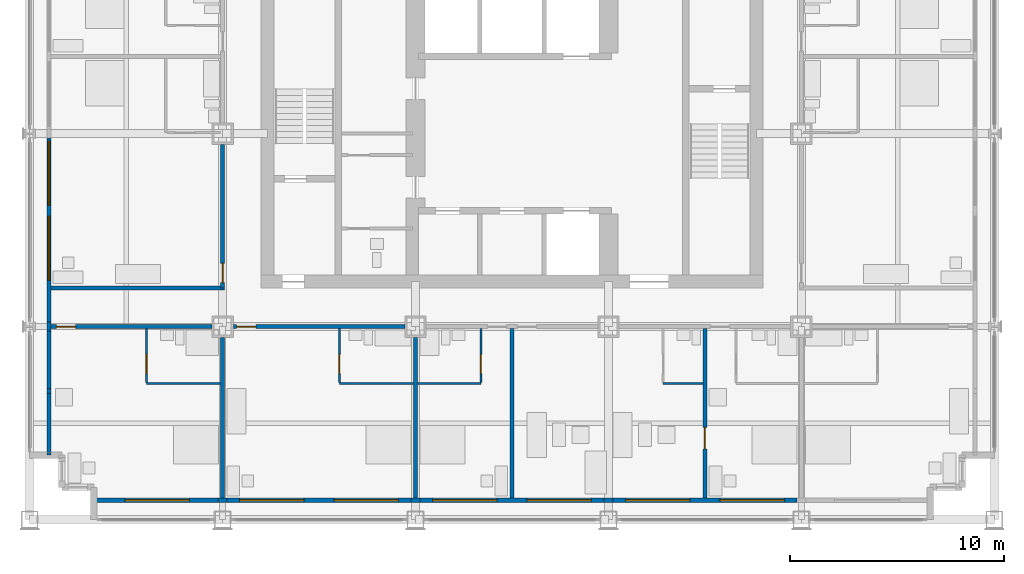
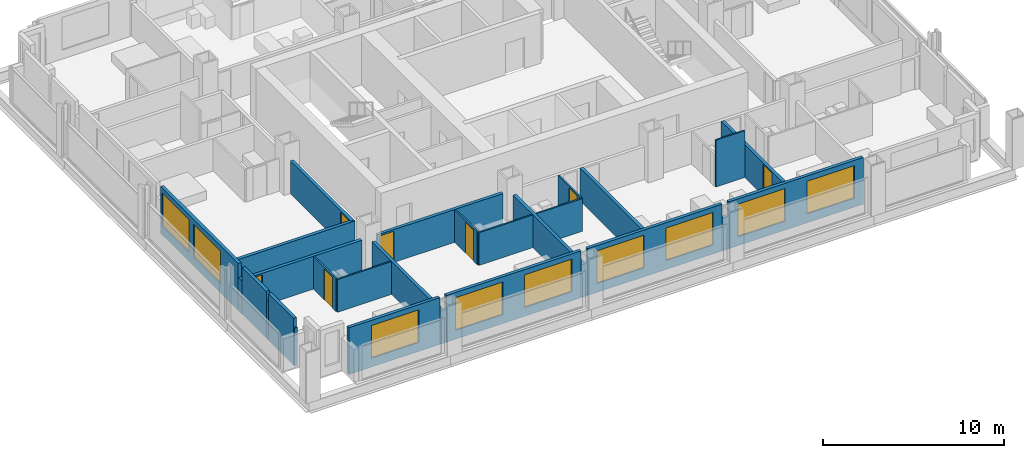
# One storey, part 9 of 17: 28 walls, 9 windows, 7 doors, 16 openings.
"""IFC4 building model written with IfcOpenShell, lengths in metres."""

from ifc_helpers import new_model, si_unit, direction, frame, frame_2d, origin, place, context, subcontext, project, spatial, rectangle, extrude, material, layer, layer_set, type_object, element, fill, save


model = new_model("IFC4")

# Units and contexts
model_context = context("Model", 3, precision=1e-05, world=origin(), true_north=direction((0.0, 1.0)))
body_context = subcontext(model_context, "Body", "Model", "MODEL_VIEW")
ifc_project = project(units=[si_unit("LENGTHUNIT", "METRE"), si_unit("AREAUNIT", "SQUARE_METRE"), si_unit("VOLUMEUNIT", "CUBIC_METRE"), si_unit("PLANEANGLEUNIT", "RADIAN"), si_unit("MASSUNIT", "GRAM", prefix="KILO")], contexts=[model_context])

# Site, building, storey
site_placement = place(None, origin())
site = spatial("IfcSite", under=ifc_project, at=site_placement, CompositionType="ELEMENT")
building_placement = place(site_placement, origin())
building = spatial("IfcBuilding", under=site, at=building_placement, Name="Loomwork Tower", CompositionType="ELEMENT")
storey_placement = place(building_placement, frame((0.0, 0.0, 152.0)))
storey = spatial("IfcBuildingStorey", under=building, at=storey_placement, Name="L41", CompositionType="ELEMENT", Elevation=152.0)

# Wall, opening, door
ifc_material_1 = material(Name="Gypsum board on steel studs, one-hour", Category="steel")
ifc_layer_1 = layer(ifc_material_1, 0.199951171875)
ifc_layer_set_1 = layer_set([ifc_layer_1], Name="Corridor wall 200")
wall_type_1 = type_object("IfcWallType", Name="Corridor wall 200", PredefinedType="PARTITIONING", material=ifc_layer_set_1)
wall_1_placement = place(storey_placement, frame((1.0, 9.0, 0.0), z_axis=(0.0, 0.0, 1.0), x_axis=(1.0, 0.0, 0.0)))
wall_1 = element("IfcWall", 1, at=wall_1_placement, inside=storey, type_object=wall_type_1, Name="South corridor wall 1", PredefinedType="PARTITIONING", context=body_context, shape_type="SweptSolid", body=[
    extrude(rectangle(XDim=7.5, YDim=0.199951171875, at=frame_2d((3.75, 0.0))), origin(), (0.0, 0.0, 1.0), 2.210205078125),
])
opening_1_placement = place(wall_1_placement, frame((0.25, 0.0, 0.0)))
opening_1 = element("IfcOpeningElement", 2, at=opening_1_placement, cuts=wall_1, Name="Opening D1", PredefinedType="OPENING", context=body_context, shape_type="SweptSolid", body=[
    extrude(rectangle(XDim=0.89990234375, YDim=2.10009765625, at=frame_2d((0.449951171875, 1.050048828125))), frame((0.0, 0.10986328125, 0.0), z_axis=(0.0, -1.0, 0.0), x_axis=(1.0, 0.0, 0.0)), (0.0, 0.0, 1.0), 0.219970703125),
])
ifc_material_2 = material(Name="Hollow metal door and frame")
door_type_1 = type_object("IfcDoorType", Name="Guest room entry door 900", OperationType="SINGLE_SWING_LEFT", PredefinedType="DOOR", material=ifc_material_2)
door_1_placement = place(opening_1_placement, frame((0.89990234375, 0.0, 0.0), z_axis=(0.0, 0.0, 1.0), x_axis=(-1.0, 0.0, 0.0)))
door_1 = element("IfcDoor", 3, at=door_1_placement, inside=storey, type_object=door_type_1, Name="Guest room entry door L41 1", OperationType="SINGLE_SWING_RIGHT", OverallHeight=2.10009765625, OverallWidth=0.89990234375, PredefinedType="DOOR", context=body_context, shape_type="SweptSolid", body=[
    extrude(rectangle(XDim=0.89990234375, YDim=2.10009765625, at=frame_2d((0.449951171875, 1.050048828125))), frame((0.0, 0.02490234375, 0.0), z_axis=(0.0, -1.0, 0.0), x_axis=(1.0, 0.0, 0.0)), (0.0, 0.0, 1.0), 0.050048828125),
])
fill(opening_1, door_1)

wall_2_placement = place(storey_placement, frame((9.5, 9.0, 0.0), z_axis=(0.0, 0.0, 1.0), x_axis=(1.0, 0.0, 0.0)))
wall_2 = element("IfcWall", 4, at=wall_2_placement, inside=storey, type_object=wall_type_1, Name="South corridor wall 2", PredefinedType="PARTITIONING", context=body_context, shape_type="SweptSolid", body=[
    extrude(rectangle(XDim=8.0, YDim=0.199951171875, at=frame_2d((4.0, 0.0))), origin(), (0.0, 0.0, 1.0), 2.210205078125),
])
opening_2_placement = place(wall_2_placement, frame((0.14990234375, 0.0, 0.0)))
opening_2 = element("IfcOpeningElement", 5, at=opening_2_placement, cuts=wall_2, Name="Opening D1", PredefinedType="OPENING", context=body_context, shape_type="SweptSolid", body=[
    extrude(rectangle(XDim=0.89990234375, YDim=2.10009765625, at=frame_2d((0.449951171875, 1.050048828125))), frame((0.0, 0.10986328125, 0.0), z_axis=(0.0, -1.0, 0.0), x_axis=(1.0, 0.0, 0.0)), (0.0, 0.0, 1.0), 0.219970703125),
])
door_2_placement = place(opening_2_placement, frame((0.89990234375, 0.0, 0.0), z_axis=(0.0, 0.0, 1.0), x_axis=(-1.0, 0.0, 0.0)))
door_2 = element("IfcDoor", 6, at=door_2_placement, inside=storey, type_object=door_type_1, Name="Guest room entry door L41 2", OperationType="SINGLE_SWING_RIGHT", OverallHeight=2.10009765625, OverallWidth=0.89990234375, PredefinedType="DOOR", context=body_context, shape_type="SweptSolid", body=[
    extrude(rectangle(XDim=0.89990234375, YDim=2.10009765625, at=frame_2d((0.449951171875, 1.050048828125))), frame((0.0, 0.02490234375, 0.0), z_axis=(0.0, -1.0, 0.0), x_axis=(1.0, 0.0, 0.0)), (0.0, 0.0, 1.0), 0.050048828125),
])
fill(opening_2, door_2)

wall_3_placement = place(storey_placement, frame((9.0, 10.800048828125, 0.0), z_axis=(0.0, 0.0, 1.0), x_axis=(0.0, 1.0, 0.0)))
wall_3 = element("IfcWall", 7, at=wall_3_placement, inside=storey, type_object=wall_type_1, Name="West corridor wall 1", PredefinedType="PARTITIONING", context=body_context, shape_type="SweptSolid", body=[
    extrude(rectangle(XDim=6.699951171875, YDim=0.199951171875, at=frame_2d((3.35009765625, 0.0))), origin(), (0.0, 0.0, 1.0), 2.210205078125),
])
opening_3_placement = place(wall_3_placement, frame((0.25, 0.0, 0.0)))
opening_3 = element("IfcOpeningElement", 8, at=opening_3_placement, cuts=wall_3, Name="Opening D1", PredefinedType="OPENING", context=body_context, shape_type="SweptSolid", body=[
    extrude(rectangle(XDim=0.89990234375, YDim=2.10009765625, at=frame_2d((0.449951171875, 1.050048828125))), frame((0.0, 0.10986328125, 0.0), z_axis=(0.0, -1.0, 0.0), x_axis=(1.0, 0.0, 0.0)), (0.0, 0.0, 1.0), 0.219970703125),
])
door_3_placement = place(opening_3_placement, origin())
door_3 = element("IfcDoor", 9, at=door_3_placement, inside=storey, type_object=door_type_1, Name="Guest room entry door L41 13", OperationType="SINGLE_SWING_LEFT", OverallHeight=2.10009765625, OverallWidth=0.89990234375, PredefinedType="DOOR", context=body_context, shape_type="SweptSolid", body=[
    extrude(rectangle(XDim=0.89990234375, YDim=2.10009765625, at=frame_2d((0.449951171875, 1.050048828125))), frame((0.0, 0.02490234375, 0.0), z_axis=(0.0, -1.0, 0.0), x_axis=(1.0, 0.0, 0.0)), (0.0, 0.0, 1.0), 0.050048828125),
])
fill(opening_3, door_3)

# Walls
wall_4_placement = place(storey_placement, frame((1.0, 10.800048828125, 0.0), z_axis=(0.0, 0.0, 1.0), x_axis=(1.0, 0.0, 0.0)))
element("IfcWall", 10, at=wall_4_placement, inside=storey, type_object=wall_type_1, Name="West band end wall S", PredefinedType="PARTITIONING", context=body_context, shape_type="SweptSolid", body=[
    extrude(rectangle(XDim=8.10009765625, YDim=0.199951171875, at=frame_2d((4.050048828125, 0.0))), origin(), (0.0, 0.0, 1.0), 2.2099609375),
])
ifc_material_3 = material(Name="Cement board on steel studs", Category="steel")
ifc_layer_2 = layer(ifc_material_3, 0.10009765625)
ifc_layer_set_2 = layer_set([ifc_layer_2], Name="En-suite partition 100")
wall_type_2 = type_object("IfcWallType", Name="En-suite partition 100", PredefinedType="PARTITIONING", material=ifc_layer_set_2)
wall_5_placement = place(storey_placement, frame((5.449951171875, 6.35009765625, 0.0), z_axis=(0.0, 0.0, 1.0), x_axis=(1.0, 0.0, 0.0)))
element("IfcWall", 11, at=wall_5_placement, inside=storey, type_object=wall_type_2, Name="En-suite wall L41 room 1", PredefinedType="PARTITIONING", context=body_context, shape_type="SweptSolid", body=[
    extrude(rectangle(XDim=3.449951171875, YDim=0.10009765625, at=frame_2d((1.72509765625, 0.0))), origin(), (0.0, 0.0, 1.0), 2.2099609375),
])

# Wall, opening, door
wall_6_placement = place(storey_placement, frame((5.449951171875, 8.89990234375, 0.0), z_axis=(0.0, 0.0, 1.0), x_axis=(0.0, -1.0, 0.0)))
wall_6 = element("IfcWall", 12, at=wall_6_placement, inside=storey, type_object=wall_type_2, Name="En-suite side wall L41 room 1", PredefinedType="PARTITIONING", context=body_context, shape_type="SweptSolid", body=[
    extrude(rectangle(XDim=2.5, YDim=0.10009765625, at=frame_2d((1.25, 0.0))), origin(), (0.0, 0.0, 1.0), 2.2099609375),
])
opening_4_placement = place(wall_6_placement, frame((1.199951171875, 0.0, 0.0)))
opening_4 = element("IfcOpeningElement", 13, at=opening_4_placement, cuts=wall_6, Name="Opening D3", PredefinedType="OPENING", context=body_context, shape_type="SweptSolid", body=[
    extrude(rectangle(XDim=0.89990234375, YDim=2.10009765625, at=frame_2d((0.449951171875, 1.050048828125))), frame((0.0, 0.06005859375, 0.0), z_axis=(0.0, -1.0, 0.0), x_axis=(1.0, 0.0, 0.0)), (0.0, 0.0, 1.0), 0.1201171875),
])
ifc_material_4 = material(Name="Hollow metal door and frame")
door_type_2 = type_object("IfcDoorType", Name="Accessible en-suite door 900", OperationType="SLIDING_TO_LEFT", PredefinedType="DOOR", material=ifc_material_4)
door_4_placement = place(opening_4_placement, origin())
door_4 = element("IfcDoor", 14, at=door_4_placement, inside=storey, type_object=door_type_2, Name="Accessible en-suite door room 1", OperationType="SLIDING_TO_LEFT", OverallHeight=2.10009765625, OverallWidth=0.89990234375, PredefinedType="DOOR", context=body_context, shape_type="SweptSolid", body=[
    extrude(rectangle(XDim=0.89990234375, YDim=2.10009765625, at=frame_2d((0.449951171875, 1.050048828125))), frame((0.0, 0.02490234375, 0.0), z_axis=(0.0, -1.0, 0.0), x_axis=(1.0, 0.0, 0.0)), (0.0, 0.0, 1.0), 0.050048828125),
])
fill(opening_4, door_4)

# Wall
wall_7_placement = place(storey_placement, frame((14.449951171875, 6.35009765625, 0.0), z_axis=(0.0, 0.0, 1.0), x_axis=(1.0, 0.0, 0.0)))
element("IfcWall", 15, at=wall_7_placement, inside=storey, type_object=wall_type_2, Name="En-suite wall L41 room 2", PredefinedType="PARTITIONING", context=body_context, shape_type="SweptSolid", body=[
    extrude(rectangle(XDim=3.449951171875, YDim=0.10009765625, at=frame_2d((1.72509765625, 0.0))), origin(), (0.0, 0.0, 1.0), 2.201904296875),
])

# Wall, opening, door
wall_8_placement = place(storey_placement, frame((14.449951171875, 8.89990234375, 0.0), z_axis=(0.0, 0.0, 1.0), x_axis=(0.0, -1.0, 0.0)))
wall_8 = element("IfcWall", 16, at=wall_8_placement, inside=storey, type_object=wall_type_2, Name="En-suite side wall L41 room 2", PredefinedType="PARTITIONING", context=body_context, shape_type="SweptSolid", body=[
    extrude(rectangle(XDim=2.5, YDim=0.10009765625, at=frame_2d((1.25, 0.0))), origin(), (0.0, 0.0, 1.0), 2.2099609375),
])
opening_5_placement = place(wall_8_placement, frame((1.199951171875, 0.0, 0.0)))
opening_5 = element("IfcOpeningElement", 17, at=opening_5_placement, cuts=wall_8, Name="Opening D2", PredefinedType="OPENING", context=body_context, shape_type="SweptSolid", body=[
    extrude(rectangle(XDim=0.89990234375, YDim=2.10009765625, at=frame_2d((0.449951171875, 1.050048828125))), frame((0.0, 0.06005859375, 0.0), z_axis=(0.0, -1.0, 0.0), x_axis=(1.0, 0.0, 0.0)), (0.0, 0.0, 1.0), 0.1201171875),
])
ifc_material_5 = material(Name="Hollow metal door and frame")
door_type_3 = type_object("IfcDoorType", Name="En-suite door 900", OperationType="SINGLE_SWING_LEFT", PredefinedType="DOOR", material=ifc_material_5)
door_5_placement = place(opening_5_placement, origin())
door_5 = element("IfcDoor", 18, at=door_5_placement, inside=storey, type_object=door_type_3, Name="En-suite door room 2", OperationType="SINGLE_SWING_RIGHT", OverallHeight=2.10009765625, OverallWidth=0.89990234375, PredefinedType="DOOR", context=body_context, shape_type="SweptSolid", body=[
    extrude(rectangle(XDim=0.89990234375, YDim=2.10009765625, at=frame_2d((0.449951171875, 1.050048828125))), frame((0.0, 0.02490234375, 0.0), z_axis=(0.0, -1.0, 0.0), x_axis=(1.0, 0.0, 0.0)), (0.0, 0.0, 1.0), 0.050048828125),
])
fill(opening_5, door_5)

# Wall
wall_9_placement = place(storey_placement, frame((18.10009765625, 6.35009765625, 0.0), z_axis=(0.0, 0.0, 1.0), x_axis=(1.0, 0.0, 0.0)))
element("IfcWall", 19, at=wall_9_placement, inside=storey, type_object=wall_type_2, Name="En-suite wall L41 room 3", PredefinedType="PARTITIONING", context=body_context, shape_type="SweptSolid", body=[
    extrude(rectangle(XDim=2.949951171875, YDim=0.10009765625, at=frame_2d((1.47509765625, 0.0))), origin(), (0.0, 0.0, 1.0), 2.201904296875),
])

# Wall, opening, door
wall_10_placement = place(storey_placement, frame((21.050048828125, 8.89990234375, 0.0), z_axis=(0.0, 0.0, 1.0), x_axis=(0.0, -1.0, 0.0)))
wall_10 = element("IfcWall", 20, at=wall_10_placement, inside=storey, type_object=wall_type_2, Name="En-suite side wall L41 room 3", PredefinedType="PARTITIONING", context=body_context, shape_type="SweptSolid", body=[
    extrude(rectangle(XDim=2.5, YDim=0.10009765625, at=frame_2d((1.25, 0.0))), origin(), (0.0, 0.0, 1.0), 2.2099609375),
])
opening_6_placement = place(wall_10_placement, frame((1.199951171875, 0.0, 0.0)))
opening_6 = element("IfcOpeningElement", 21, at=opening_6_placement, cuts=wall_10, Name="Opening D2", PredefinedType="OPENING", context=body_context, shape_type="SweptSolid", body=[
    extrude(rectangle(XDim=0.89990234375, YDim=2.10009765625, at=frame_2d((0.449951171875, 1.050048828125))), frame((0.0, 0.06005859375, 0.0), z_axis=(0.0, -1.0, 0.0), x_axis=(1.0, 0.0, 0.0)), (0.0, 0.0, 1.0), 0.1201171875),
])
door_6_placement = place(opening_6_placement, frame((0.89990234375, 0.0, 0.0), z_axis=(0.0, 0.0, 1.0), x_axis=(-1.0, 0.0, 0.0)))
door_6 = element("IfcDoor", 22, at=door_6_placement, inside=storey, type_object=door_type_3, Name="En-suite door room 3", OperationType="SINGLE_SWING_LEFT", OverallHeight=2.10009765625, OverallWidth=0.89990234375, PredefinedType="DOOR", context=body_context, shape_type="SweptSolid", body=[
    extrude(rectangle(XDim=0.89990234375, YDim=2.10009765625, at=frame_2d((0.449951171875, 1.050048828125))), frame((0.0, 0.02490234375, 0.0), z_axis=(0.0, -1.0, 0.0), x_axis=(1.0, 0.0, 0.0)), (0.0, 0.0, 1.0), 0.050048828125),
])
fill(opening_6, door_6)

# Walls
wall_11_placement = place(storey_placement, frame((29.550048828125, 6.35009765625, 0.0), z_axis=(0.0, 0.0, 1.0), x_axis=(1.0, 0.0, 0.0)))
element("IfcWall", 23, at=wall_11_placement, inside=storey, type_object=wall_type_2, Name="En-suite wall L41 room 4", PredefinedType="PARTITIONING", context=body_context, shape_type="SweptSolid", body=[
    extrude(rectangle(XDim=1.849853515625, YDim=0.10009765625, at=frame_2d((0.9248046875, 0.0))), origin(), (0.0, 0.0, 1.0), 3.14990234375),
])
ifc_material_6 = material(Name="Gypsum board on steel studs, acoustic", Category="steel")
ifc_layer_3 = layer(ifc_material_6, 0.199951171875)
ifc_layer_set_3 = layer_set([ifc_layer_3], Name="Guest room party wall 200")
wall_type_3 = type_object("IfcWallType", Name="Guest room party wall 200", PredefinedType="PARTITIONING", material=ifc_layer_set_3)
wall_12_placement = place(storey_placement, frame((9.0, 8.5, 0.0), z_axis=(0.0, 0.0, 1.0), x_axis=(0.0, -1.0, 0.0)))
element("IfcWall", 24, at=wall_12_placement, inside=storey, type_object=wall_type_3, Name="Guest room party wall S 9", PredefinedType="PARTITIONING", context=body_context, shape_type="SweptSolid", body=[
    extrude(rectangle(XDim=7.5, YDim=0.199951171875, at=frame_2d((3.75, 0.0))), origin(), (0.0, 0.0, 1.0), 2.210205078125),
])
wall_13_placement = place(storey_placement, frame((18.0, 8.5, 0.0), z_axis=(0.0, 0.0, 1.0), x_axis=(0.0, -1.0, 0.0)))
element("IfcWall", 25, at=wall_13_placement, inside=storey, type_object=wall_type_3, Name="Guest room party wall S 18", PredefinedType="PARTITIONING", context=body_context, shape_type="SweptSolid", body=[
    extrude(rectangle(XDim=7.5, YDim=0.199951171875, at=frame_2d((3.75, 0.0))), origin(), (0.0, 0.0, 1.0), 2.20263671875),
])
wall_14_placement = place(storey_placement, frame((22.5, 8.89990234375, 0.0), z_axis=(0.0, 0.0, 1.0), x_axis=(0.0, -1.0, 0.0)))
element("IfcWall", 26, at=wall_14_placement, inside=storey, type_object=wall_type_3, Name="Guest room party wall S 22.5", PredefinedType="PARTITIONING", context=body_context, shape_type="SweptSolid", body=[
    extrude(rectangle(XDim=7.89990234375, YDim=0.199951171875, at=frame_2d((3.949951171875, 0.0))), origin(), (0.0, 0.0, 1.0), 2.2099609375),
])

# Wall, opening, door
wall_15_placement = place(storey_placement, frame((31.5, 8.89990234375, 0.0), z_axis=(0.0, 0.0, 1.0), x_axis=(0.0, -1.0, 0.0)))
wall_15 = element("IfcWall", 27, at=wall_15_placement, inside=storey, type_object=wall_type_3, Name="Guest room party wall S 31.5", PredefinedType="PARTITIONING", context=body_context, shape_type="SweptSolid", body=[
    extrude(rectangle(XDim=7.89990234375, YDim=0.199951171875, at=frame_2d((3.949951171875, 0.0))), origin(), (0.0, 0.0, 1.0), 2.2099609375),
])
opening_7_placement = place(wall_15_placement, frame((4.60009765625, 0.0, 0.0)))
opening_7 = element("IfcOpeningElement", 28, at=opening_7_placement, cuts=wall_15, Name="Opening D7", PredefinedType="OPENING", context=body_context, shape_type="SweptSolid", body=[
    extrude(rectangle(XDim=1.0, YDim=2.10009765625, at=frame_2d((0.5, 1.050048828125))), frame((0.0, 0.10986328125, 0.0), z_axis=(0.0, -1.0, 0.0), x_axis=(1.0, 0.0, 0.0)), (0.0, 0.0, 1.0), 0.219970703125),
])
ifc_material_7 = material(Name="Hollow metal door and frame")
door_type_4 = type_object("IfcDoorType", Name="Room door 1000", OperationType="SINGLE_SWING_LEFT", PredefinedType="DOOR", material=ifc_material_7)
door_7_placement = place(opening_7_placement, origin())
door_7 = element("IfcDoor", 29, at=door_7_placement, inside=storey, type_object=door_type_4, Name="Suite connecting door L41 S 31.5", OperationType="SINGLE_SWING_LEFT", OverallHeight=2.10009765625, OverallWidth=1.0, PredefinedType="DOOR", context=body_context, shape_type="SweptSolid", body=[
    extrude(rectangle(XDim=1.0, YDim=2.10009765625, at=frame_2d((0.5, 1.050048828125))), frame((0.0, 0.02490234375, 0.0), z_axis=(0.0, -1.0, 0.0), x_axis=(1.0, 0.0, 0.0)), (0.0, 0.0, 1.0), 0.050048828125),
])
fill(opening_7, door_7)

# Wall, opening, window
ifc_material_8 = material(Name="Insulated steel stud wall with gypsum lining", Category="steel")
ifc_layer_4 = layer(ifc_material_8, 0.199951171875)
ifc_layer_set_4 = layer_set([ifc_layer_4], Name="Inner skin wall 200")
wall_type_4 = type_object("IfcWallType", Name="Inner skin wall 200", PredefinedType="SOLIDWALL", material=ifc_layer_set_4)
wall_16_placement = place(storey_placement, frame((3.0, 0.89990234375, 0.0), z_axis=(0.0, 0.0, 1.0), x_axis=(1.0, 0.0, 0.0)))
wall_16 = element("IfcWall", 30, at=wall_16_placement, inside=storey, type_object=wall_type_4, Name="Inner skin wall S", PredefinedType="SOLIDWALL", context=body_context, shape_type="SweptSolid", body=[
    extrude(rectangle(XDim=5.78466796875, YDim=0.199951171875, at=frame_2d((2.892333984375, 0.0))), origin(), (0.0, 0.0, 1.0), 3.14990234375),
])
opening_8_placement = place(wall_16_placement, frame((1.449951171875, 0.0, 0.60009765625)))
opening_8 = element("IfcOpeningElement", 31, at=opening_8_placement, cuts=wall_16, Name="Opening CH1", PredefinedType="OPENING", context=body_context, shape_type="SweptSolid", body=[
    extrude(rectangle(XDim=3.0, YDim=2.199951171875, at=frame_2d((1.5, 1.10009765625))), frame((0.0, 0.10986328125, 0.0), z_axis=(0.0, -1.0, 0.0), x_axis=(1.0, 0.0, 0.0)), (0.0, 0.0, 1.0), 0.219970703125),
])
ifc_material_9 = material(Name="Aluminium frame with clear insulated glass", Category="aluminium")
window_type = type_object("IfcWindowType", Name="Chicago window 3000", PartitioningType="TRIPLE_PANEL_VERTICAL", PredefinedType="WINDOW", material=ifc_material_9)
window_1_placement = place(opening_8_placement, origin())
window_1 = element("IfcWindow", 32, at=window_1_placement, inside=storey, type_object=window_type, Name="Chicago window L41 bay 1", OverallHeight=2.199951171875, OverallWidth=3.0, PartitioningType="TRIPLE_PANEL_VERTICAL", PredefinedType="WINDOW", context=body_context, shape_type="SweptSolid", body=[
    extrude(rectangle(XDim=3.0, YDim=2.199951171875, at=frame_2d((1.5, 1.10009765625))), frame((0.0, 0.030029296875, 0.0), z_axis=(0.0, -1.0, 0.0), x_axis=(1.0, 0.0, 0.0)), (0.0, 0.0, 1.0), 0.06005859375),
])
fill(opening_8, window_1)

# Walls
wall_17_placement = place(storey_placement, frame((0.89990234375, 3.0, 0.0), z_axis=(0.0, 0.0, 1.0), x_axis=(0.0, 1.0, 0.0)))
element("IfcWall", 33, at=wall_17_placement, inside=storey, type_object=wall_type_4, Name="Inner skin wall W", PredefinedType="SOLIDWALL", context=body_context, shape_type="SweptSolid", body=[
    extrude(rectangle(XDim=0.1162109375, YDim=0.199951171875, at=frame_2d((0.05810546875, 0.0))), origin(), (0.0, 0.0, 1.0), 2.5419921875),
])
wall_18_placement = place(storey_placement, frame((8.78466796875, 0.89990234375, 0.0), z_axis=(0.0, 0.0, 1.0), x_axis=(1.0, 0.0, 0.0)))
element("IfcWall", 34, at=wall_18_placement, inside=storey, type_object=wall_type_4, Name="Inner skin wall S bay 2", PredefinedType="SOLIDWALL", context=body_context, shape_type="SweptSolid", body=[
    extrude(rectangle(XDim=0.4306640625, YDim=0.199951171875, at=frame_2d((0.21533203125, 0.0))), origin(), (0.0, 0.0, 1.0), 2.2099609375),
])

# Wall, openings, windows
wall_19_placement = place(storey_placement, frame((9.21533203125, 0.89990234375, 0.0), z_axis=(0.0, 0.0, 1.0), x_axis=(1.0, 0.0, 0.0)))
wall_19 = element("IfcWall", 35, at=wall_19_placement, inside=storey, type_object=wall_type_4, Name="Inner skin wall S bay 3", PredefinedType="SOLIDWALL", context=body_context, shape_type="SweptSolid", body=[
    extrude(rectangle(XDim=8.570556640625, YDim=0.199951171875, at=frame_2d((4.28515625, 0.0))), origin(), (0.0, 0.0, 1.0), 3.14990234375),
])
opening_9_placement = place(wall_19_placement, frame((0.584716796875, 0.0, 0.60009765625)))
opening_9 = element("IfcOpeningElement", 36, at=opening_9_placement, cuts=wall_19, Name="Opening CH1", PredefinedType="OPENING", context=body_context, shape_type="SweptSolid", body=[
    extrude(rectangle(XDim=3.0, YDim=2.199951171875, at=frame_2d((1.5, 1.10009765625))), frame((0.0, 0.10986328125, 0.0), z_axis=(0.0, -1.0, 0.0), x_axis=(1.0, 0.0, 0.0)), (0.0, 0.0, 1.0), 0.219970703125),
])
opening_10_placement = place(wall_19_placement, frame((4.984619140625, 0.0, 0.60009765625)))
opening_10 = element("IfcOpeningElement", 37, at=opening_10_placement, cuts=wall_19, Name="Opening CH1", PredefinedType="OPENING", context=body_context, shape_type="SweptSolid", body=[
    extrude(rectangle(XDim=3.0, YDim=2.199951171875, at=frame_2d((1.5, 1.10009765625))), frame((0.0, 0.10986328125, 0.0), z_axis=(0.0, -1.0, 0.0), x_axis=(1.0, 0.0, 0.0)), (0.0, 0.0, 1.0), 0.219970703125),
])
window_2_placement = place(opening_9_placement, origin())
window_2 = element("IfcWindow", 38, at=window_2_placement, inside=storey, type_object=window_type, Name="Chicago window L41 bay 2", OverallHeight=2.199951171875, OverallWidth=3.0, PartitioningType="TRIPLE_PANEL_VERTICAL", PredefinedType="WINDOW", context=body_context, shape_type="SweptSolid", body=[
    extrude(rectangle(XDim=3.0, YDim=2.199951171875, at=frame_2d((1.5, 1.10009765625))), frame((0.0, 0.030029296875, 0.0), z_axis=(0.0, -1.0, 0.0), x_axis=(1.0, 0.0, 0.0)), (0.0, 0.0, 1.0), 0.06005859375),
])
fill(opening_9, window_2)
window_3_placement = place(opening_10_placement, origin())
window_3 = element("IfcWindow", 39, at=window_3_placement, inside=storey, type_object=window_type, Name="Chicago window L41 bay 2", OverallHeight=2.199951171875, OverallWidth=3.0, PartitioningType="TRIPLE_PANEL_VERTICAL", PredefinedType="WINDOW", context=body_context, shape_type="SweptSolid", body=[
    extrude(rectangle(XDim=3.0, YDim=2.199951171875, at=frame_2d((1.5, 1.10009765625))), frame((0.0, 0.030029296875, 0.0), z_axis=(0.0, -1.0, 0.0), x_axis=(1.0, 0.0, 0.0)), (0.0, 0.0, 1.0), 0.06005859375),
])
fill(opening_10, window_3)

# Wall
wall_20_placement = place(storey_placement, frame((17.785888671875, 0.89990234375, 0.0), z_axis=(0.0, 0.0, 1.0), x_axis=(1.0, 0.0, 0.0)))
element("IfcWall", 40, at=wall_20_placement, inside=storey, type_object=wall_type_4, Name="Inner skin wall S bay 4", PredefinedType="SOLIDWALL", context=body_context, shape_type="SweptSolid", body=[
    extrude(rectangle(XDim=0.42822265625, YDim=0.199951171875, at=frame_2d((0.214111328125, 0.0))), origin(), (0.0, 0.0, 1.0), 2.201904296875),
])

# Wall, openings, windows
wall_21_placement = place(storey_placement, frame((18.214111328125, 0.89990234375, 0.0), z_axis=(0.0, 0.0, 1.0), x_axis=(1.0, 0.0, 0.0)))
wall_21 = element("IfcWall", 41, at=wall_21_placement, inside=storey, type_object=wall_type_4, Name="Inner skin wall S bay 5", PredefinedType="SOLIDWALL", context=body_context, shape_type="SweptSolid", body=[
    extrude(rectangle(XDim=8.57177734375, YDim=0.199951171875, at=frame_2d((4.285888671875, 0.0))), origin(), (0.0, 0.0, 1.0), 3.14990234375),
])
opening_11_placement = place(wall_21_placement, frame((0.5859375, 0.0, 0.60009765625)))
opening_11 = element("IfcOpeningElement", 42, at=opening_11_placement, cuts=wall_21, Name="Opening CH1", PredefinedType="OPENING", context=body_context, shape_type="SweptSolid", body=[
    extrude(rectangle(XDim=3.0, YDim=2.199951171875, at=frame_2d((1.5, 1.10009765625))), frame((0.0, 0.10986328125, 0.0), z_axis=(0.0, -1.0, 0.0), x_axis=(1.0, 0.0, 0.0)), (0.0, 0.0, 1.0), 0.219970703125),
])
opening_12_placement = place(wall_21_placement, frame((4.98583984375, 0.0, 0.60009765625)))
opening_12 = element("IfcOpeningElement", 43, at=opening_12_placement, cuts=wall_21, Name="Opening CH1", PredefinedType="OPENING", context=body_context, shape_type="SweptSolid", body=[
    extrude(rectangle(XDim=3.0, YDim=2.199951171875, at=frame_2d((1.5, 1.10009765625))), frame((0.0, 0.10986328125, 0.0), z_axis=(0.0, -1.0, 0.0), x_axis=(1.0, 0.0, 0.0)), (0.0, 0.0, 1.0), 0.219970703125),
])
window_4_placement = place(opening_11_placement, origin())
window_4 = element("IfcWindow", 44, at=window_4_placement, inside=storey, type_object=window_type, Name="Chicago window L41 bay 3", OverallHeight=2.199951171875, OverallWidth=3.0, PartitioningType="TRIPLE_PANEL_VERTICAL", PredefinedType="WINDOW", context=body_context, shape_type="SweptSolid", body=[
    extrude(rectangle(XDim=3.0, YDim=2.199951171875, at=frame_2d((1.5, 1.10009765625))), frame((0.0, 0.030029296875, 0.0), z_axis=(0.0, -1.0, 0.0), x_axis=(1.0, 0.0, 0.0)), (0.0, 0.0, 1.0), 0.06005859375),
])
fill(opening_11, window_4)
window_5_placement = place(opening_12_placement, origin())
window_5 = element("IfcWindow", 45, at=window_5_placement, inside=storey, type_object=window_type, Name="Chicago window L41 bay 3", OverallHeight=2.199951171875, OverallWidth=3.0, PartitioningType="TRIPLE_PANEL_VERTICAL", PredefinedType="WINDOW", context=body_context, shape_type="SweptSolid", body=[
    extrude(rectangle(XDim=3.0, YDim=2.199951171875, at=frame_2d((1.5, 1.10009765625))), frame((0.0, 0.030029296875, 0.0), z_axis=(0.0, -1.0, 0.0), x_axis=(1.0, 0.0, 0.0)), (0.0, 0.0, 1.0), 0.06005859375),
])
fill(opening_12, window_5)

# Wall
wall_22_placement = place(storey_placement, frame((26.785888671875, 0.89990234375, 0.0), z_axis=(0.0, 0.0, 1.0), x_axis=(1.0, 0.0, 0.0)))
element("IfcWall", 46, at=wall_22_placement, inside=storey, type_object=wall_type_4, Name="Inner skin wall S bay 6", PredefinedType="SOLIDWALL", context=body_context, shape_type="SweptSolid", body=[
    extrude(rectangle(XDim=0.42822265625, YDim=0.199951171875, at=frame_2d((0.214111328125, 0.0))), origin(), (0.0, 0.0, 1.0), 2.201904296875),
])

# Wall, openings, windows
wall_23_placement = place(storey_placement, frame((27.214111328125, 0.89990234375, 0.0), z_axis=(0.0, 0.0, 1.0), x_axis=(1.0, 0.0, 0.0)))
wall_23 = element("IfcWall", 47, at=wall_23_placement, inside=storey, type_object=wall_type_4, Name="Inner skin wall S bay 7", PredefinedType="SOLIDWALL", context=body_context, shape_type="SweptSolid", body=[
    extrude(rectangle(XDim=8.570556640625, YDim=0.199951171875, at=frame_2d((4.28515625, 0.0))), origin(), (0.0, 0.0, 1.0), 3.14990234375),
])
opening_13_placement = place(wall_23_placement, frame((0.5859375, 0.0, 0.60009765625)))
opening_13 = element("IfcOpeningElement", 48, at=opening_13_placement, cuts=wall_23, Name="Opening CH1", PredefinedType="OPENING", context=body_context, shape_type="SweptSolid", body=[
    extrude(rectangle(XDim=3.0, YDim=2.199951171875, at=frame_2d((1.5, 1.10009765625))), frame((0.0, 0.10986328125, 0.0), z_axis=(0.0, -1.0, 0.0), x_axis=(1.0, 0.0, 0.0)), (0.0, 0.0, 1.0), 0.219970703125),
])
opening_14_placement = place(wall_23_placement, frame((4.98583984375, 0.0, 0.60009765625)))
opening_14 = element("IfcOpeningElement", 49, at=opening_14_placement, cuts=wall_23, Name="Opening CH1", PredefinedType="OPENING", context=body_context, shape_type="SweptSolid", body=[
    extrude(rectangle(XDim=3.0, YDim=2.199951171875, at=frame_2d((1.5, 1.10009765625))), frame((0.0, 0.10986328125, 0.0), z_axis=(0.0, -1.0, 0.0), x_axis=(1.0, 0.0, 0.0)), (0.0, 0.0, 1.0), 0.219970703125),
])
window_6_placement = place(opening_13_placement, origin())
window_6 = element("IfcWindow", 50, at=window_6_placement, inside=storey, type_object=window_type, Name="Chicago window L41 bay 4", OverallHeight=2.199951171875, OverallWidth=3.0, PartitioningType="TRIPLE_PANEL_VERTICAL", PredefinedType="WINDOW", context=body_context, shape_type="SweptSolid", body=[
    extrude(rectangle(XDim=3.0, YDim=2.199951171875, at=frame_2d((1.5, 1.10009765625))), frame((0.0, 0.030029296875, 0.0), z_axis=(0.0, -1.0, 0.0), x_axis=(1.0, 0.0, 0.0)), (0.0, 0.0, 1.0), 0.06005859375),
])
fill(opening_13, window_6)
window_7_placement = place(opening_14_placement, origin())
window_7 = element("IfcWindow", 51, at=window_7_placement, inside=storey, type_object=window_type, Name="Chicago window L41 bay 4", OverallHeight=2.199951171875, OverallWidth=3.0, PartitioningType="TRIPLE_PANEL_VERTICAL", PredefinedType="WINDOW", context=body_context, shape_type="SweptSolid", body=[
    extrude(rectangle(XDim=3.0, YDim=2.199951171875, at=frame_2d((1.5, 1.10009765625))), frame((0.0, 0.030029296875, 0.0), z_axis=(0.0, -1.0, 0.0), x_axis=(1.0, 0.0, 0.0)), (0.0, 0.0, 1.0), 0.06005859375),
])
fill(opening_14, window_7)

# Walls
wall_24_placement = place(storey_placement, frame((0.89990234375, 3.1162109375, 0.0), z_axis=(0.0, 0.0, 1.0), x_axis=(0.0, 1.0, 0.0)))
element("IfcWall", 52, at=wall_24_placement, inside=storey, type_object=wall_type_4, Name="Inner skin wall W bay 2", PredefinedType="SOLIDWALL", context=body_context, shape_type="SweptSolid", body=[
    extrude(rectangle(XDim=2.767578125, YDim=0.199951171875, at=frame_2d((1.3837890625, 0.0))), origin(), (0.0, 0.0, 1.0), 3.14990234375),
])
wall_25_placement = place(storey_placement, frame((0.89990234375, 5.8837890625, 0.0), z_axis=(0.0, 0.0, 1.0), x_axis=(0.0, 1.0, 0.0)))
element("IfcWall", 53, at=wall_25_placement, inside=storey, type_object=wall_type_4, Name="Inner skin wall W bay 3", PredefinedType="SOLIDWALL", context=body_context, shape_type="SweptSolid", body=[
    extrude(rectangle(XDim=0.232421875, YDim=0.199951171875, at=frame_2d((0.1162109375, 0.0))), origin(), (0.0, 0.0, 1.0), 2.5419921875),
])
wall_26_placement = place(storey_placement, frame((0.89990234375, 6.1162109375, 0.0), z_axis=(0.0, 0.0, 1.0), x_axis=(0.0, 1.0, 0.0)))
element("IfcWall", 54, at=wall_26_placement, inside=storey, type_object=wall_type_4, Name="Inner skin wall W bay 4", PredefinedType="SOLIDWALL", context=body_context, shape_type="SweptSolid", body=[
    extrude(rectangle(XDim=2.66845703125, YDim=0.199951171875, at=frame_2d((1.334228515625, 0.0))), origin(), (0.0, 0.0, 1.0), 3.14990234375),
])
wall_27_placement = place(storey_placement, frame((0.89990234375, 8.78466796875, 0.0), z_axis=(0.0, 0.0, 1.0), x_axis=(0.0, 1.0, 0.0)))
element("IfcWall", 55, at=wall_27_placement, inside=storey, type_object=wall_type_4, Name="Inner skin wall W bay 5", PredefinedType="SOLIDWALL", context=body_context, shape_type="SweptSolid", body=[
    extrude(rectangle(XDim=0.4306640625, YDim=0.199951171875, at=frame_2d((0.21533203125, 0.0))), origin(), (0.0, 0.0, 1.0), 2.2099609375),
])

# Wall, openings, windows
wall_28_placement = place(storey_placement, frame((0.89990234375, 9.21533203125, 0.0), z_axis=(0.0, 0.0, 1.0), x_axis=(0.0, 1.0, 0.0)))
wall_28 = element("IfcWall", 56, at=wall_28_placement, inside=storey, type_object=wall_type_4, Name="Inner skin wall W bay 6", PredefinedType="SOLIDWALL", context=body_context, shape_type="SweptSolid", body=[
    extrude(rectangle(XDim=8.570556640625, YDim=0.199951171875, at=frame_2d((4.28515625, 0.0))), origin(), (0.0, 0.0, 1.0), 3.14990234375),
])
opening_15_placement = place(wall_28_placement, frame((1.9345703125, 0.0, 0.60009765625)))
opening_15 = element("IfcOpeningElement", 57, at=opening_15_placement, cuts=wall_28, Name="Opening CH1", PredefinedType="OPENING", context=body_context, shape_type="SweptSolid", body=[
    extrude(rectangle(XDim=3.0, YDim=2.199951171875, at=frame_2d((1.5, 1.10009765625))), frame((0.0, 0.10986328125, 0.0), z_axis=(0.0, -1.0, 0.0), x_axis=(1.0, 0.0, 0.0)), (0.0, 0.0, 1.0), 0.219970703125),
])
opening_16_placement = place(wall_28_placement, frame((5.4345703125, 0.0, 0.60009765625)))
opening_16 = element("IfcOpeningElement", 58, at=opening_16_placement, cuts=wall_28, Name="Opening CH1", PredefinedType="OPENING", context=body_context, shape_type="SweptSolid", body=[
    extrude(rectangle(XDim=3.0, YDim=2.199951171875, at=frame_2d((1.5, 1.10009765625))), frame((0.0, 0.10986328125, 0.0), z_axis=(0.0, -1.0, 0.0), x_axis=(1.0, 0.0, 0.0)), (0.0, 0.0, 1.0), 0.219970703125),
])
window_8_placement = place(opening_15_placement, origin())
window_8 = element("IfcWindow", 59, at=window_8_placement, inside=storey, type_object=window_type, Name="Chicago window L41 bay 11", OverallHeight=2.199951171875, OverallWidth=3.0, PartitioningType="TRIPLE_PANEL_VERTICAL", PredefinedType="WINDOW", context=body_context, shape_type="SweptSolid", body=[
    extrude(rectangle(XDim=3.0, YDim=2.199951171875, at=frame_2d((1.5, 1.10009765625))), frame((0.0, 0.030029296875, 0.0), z_axis=(0.0, -1.0, 0.0), x_axis=(1.0, 0.0, 0.0)), (0.0, 0.0, 1.0), 0.06005859375),
])
fill(opening_15, window_8)
window_9_placement = place(opening_16_placement, origin())
window_9 = element("IfcWindow", 60, at=window_9_placement, inside=storey, type_object=window_type, Name="Chicago window L41 bay 11", OverallHeight=2.199951171875, OverallWidth=3.0, PartitioningType="TRIPLE_PANEL_VERTICAL", PredefinedType="WINDOW", context=body_context, shape_type="SweptSolid", body=[
    extrude(rectangle(XDim=3.0, YDim=2.199951171875, at=frame_2d((1.5, 1.10009765625))), frame((0.0, 0.030029296875, 0.0), z_axis=(0.0, -1.0, 0.0), x_axis=(1.0, 0.0, 0.0)), (0.0, 0.0, 1.0), 0.06005859375),
])
fill(opening_16, window_9)

save(model, "model.ifc")
